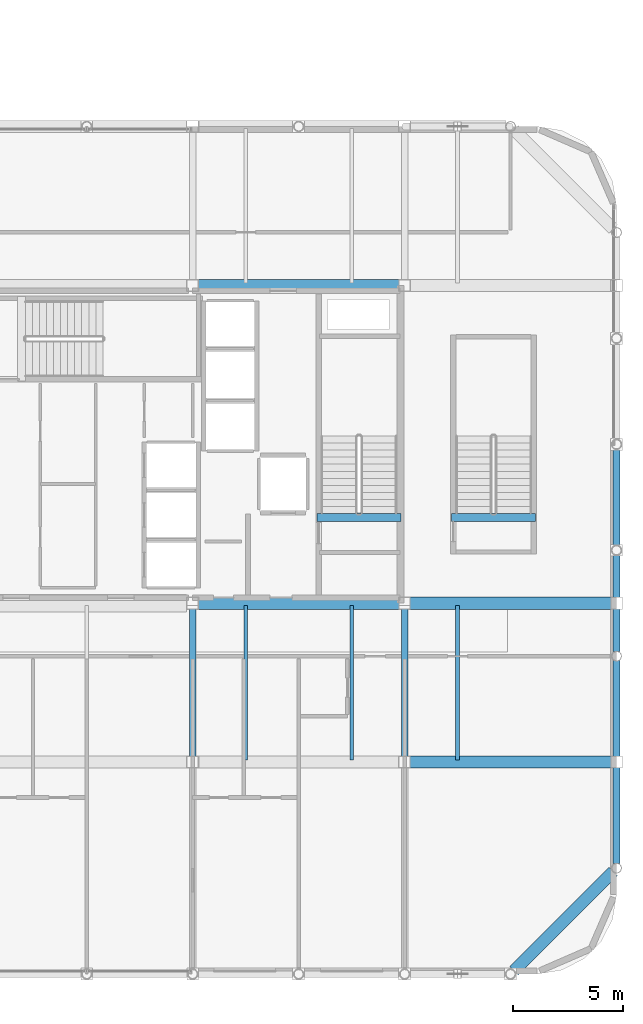
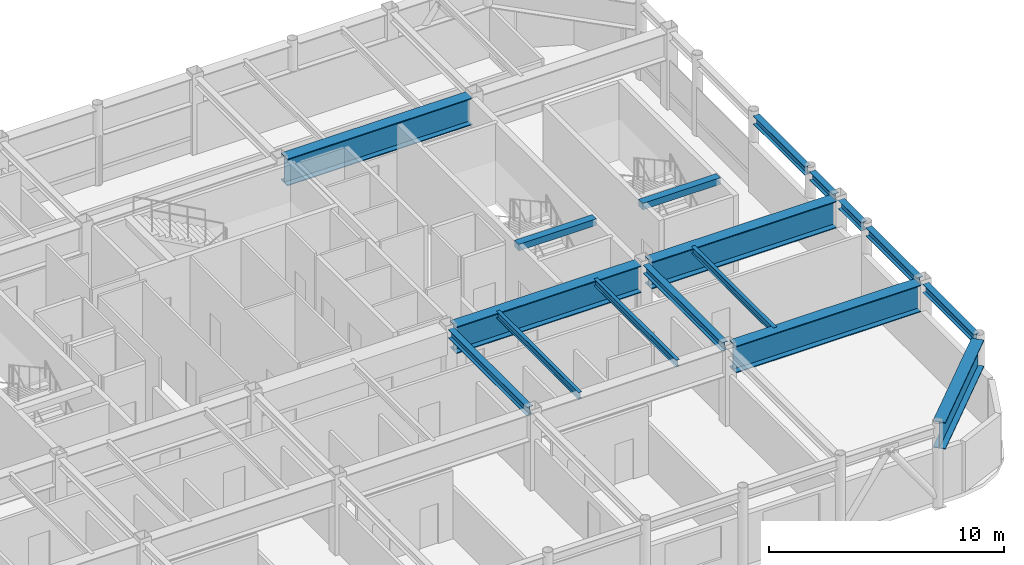
# One storey, part 10 of 23: 17 beams.
"""IFC4 building model written with IfcOpenShell, lengths in metres."""

from ifc_helpers import new_model, si_unit, direction, frame, origin, origin_2d, place, context, subcontext, project, spatial, rectangle, i_section, extrude, material, material_profile, profile_set, type_object, element, save


model = new_model("IFC4")

# Units and contexts
model_context = context("Model", 3, precision=1e-05, world=origin(), true_north=direction((0.0, 1.0)))
body_context = subcontext(model_context, "Body", "Model", "MODEL_VIEW")
ifc_project = project(units=[si_unit("LENGTHUNIT", "METRE"), si_unit("AREAUNIT", "SQUARE_METRE"), si_unit("VOLUMEUNIT", "CUBIC_METRE"), si_unit("PLANEANGLEUNIT", "RADIAN"), si_unit("MASSUNIT", "GRAM", prefix="KILO")], contexts=[model_context])

# Site, building, storey
site_placement = place(None, origin())
site = spatial("IfcSite", under=ifc_project, at=site_placement, CompositionType="ELEMENT")
building_placement = place(site_placement, origin())
building = spatial("IfcBuilding", under=site, at=building_placement, Name="Kallvorn Hotel Tower", CompositionType="ELEMENT")
storey_placement = place(building_placement, frame((0.0, 0.0, 282.199951171875)))
storey = spatial("IfcBuildingStorey", under=building, at=storey_placement, Name="L70", CompositionType="ELEMENT", Elevation=282.199951171875)

# Beams
ifc_material_1 = material(Name="Structural steel S355JR", Category="steel")
ifc_material_profile_1 = material_profile(ifc_material_1, i_section(OverallWidth=0.300048828125, OverallDepth=0.43994140625, WebThickness=0.011474609375, FlangeThickness=0.02099609375, at=origin_2d()), Name="HE 450 A")
ifc_profile_set_1 = profile_set([ifc_material_profile_1], Name="Structural steel S355JR")
beam_type_1 = type_object("IfcBeamType", Name="BM_HE450A", PredefinedType="BEAM", material=ifc_profile_set_1)
for number, where, z_axis, x_axis, name in (
    (1, (4.800048828125, -14.14990234375, 3.780029296875), (0.0, 1.0, 0.0), (-1.0, 0.0, 0.0), "L71 Primary Y-Girder 41"),
    (2, (14.39990234375, -14.14990234375, 3.780029296875), (0.0, 1.0, 0.0), (-1.0, 0.0, 0.0), "L71 Primary Y-Girder 44"),
):
    element("IfcBeam", number, at=place(storey_placement, frame(where, z_axis=z_axis, x_axis=x_axis)), inside=storey, type_object=beam_type_1, Name=name, PredefinedType="BEAM", context=body_context, shape_type="SweptSolid", body=[
        extrude(i_section(OverallWidth=0.300048828125, OverallDepth=0.43994140625, WebThickness=0.011474609375, FlangeThickness=0.02099609375, at=origin_2d()), origin(), (0.0, 0.0, 1.0), 6.699951171875),
    ])
beam_1_placement = place(storey_placement, frame((24.0, -18.99658203125, 3.780029296875), z_axis=(0.0, 1.0, 0.0), x_axis=(-1.0, 0.0, 0.0)))
element("IfcBeam", 3, at=beam_1_placement, inside=storey, type_object=beam_type_1, Name="L71 Primary Y-Girder 46", PredefinedType="BEAM", context=body_context, shape_type="SweptSolid", body=[
    extrude(i_section(OverallWidth=0.300048828125, OverallDepth=0.43994140625, WebThickness=0.011474609375, FlangeThickness=0.02099609375, at=origin_2d()), origin(), (0.0, 0.0, 1.0), 4.3466796875),
])
beam_2_placement = place(storey_placement, frame((24.0, -14.14990234375, 3.780029296875), z_axis=(0.0, 1.0, 0.0), x_axis=(-1.0, 0.0, 0.0)))
element("IfcBeam", 4, at=beam_2_placement, inside=storey, type_object=beam_type_1, Name="L71 Primary Y-Girder 47", PredefinedType="BEAM", context=body_context, shape_type="SweptSolid", body=[
    extrude(i_section(OverallWidth=0.300048828125, OverallDepth=0.43994140625, WebThickness=0.011474609375, FlangeThickness=0.02099609375, at=origin_2d()), origin(), (0.0, 0.0, 1.0), 4.346435546875),
])
for number, where, z_axis, x_axis, name in (
    (5, (24.0, -9.396484375, 3.780029296875), (0.0, 1.0, 0.0), (-1.0, 0.0, 0.0), "L71 Primary Y-Girder 48"),
    (6, (24.0, -6.949951171875, 3.780029296875), (0.0, 1.0, 0.0), (-1.0, 0.0, 0.0), "L71 Primary Y-Girder 49"),
):
    element("IfcBeam", number, at=place(storey_placement, frame(where, z_axis=z_axis, x_axis=x_axis)), inside=storey, type_object=beam_type_1, Name=name, PredefinedType="BEAM", context=body_context, shape_type="SweptSolid", body=[
        extrude(i_section(OverallWidth=0.300048828125, OverallDepth=0.43994140625, WebThickness=0.011474609375, FlangeThickness=0.02099609375, at=origin_2d()), origin(), (0.0, 0.0, 1.0), 1.946533203125),
    ])
beam_3_placement = place(storey_placement, frame((24.0, -4.596435546875, 3.780029296875), z_axis=(0.0, 1.0, 0.0), x_axis=(-1.0, 0.0, 0.0)))
element("IfcBeam", 7, at=beam_3_placement, inside=storey, type_object=beam_type_1, Name="L71 Primary Y-Girder 50", PredefinedType="BEAM", context=body_context, shape_type="SweptSolid", body=[
    extrude(i_section(OverallWidth=0.300048828125, OverallDepth=0.43994140625, WebThickness=0.011474609375, FlangeThickness=0.02099609375, at=origin_2d()), origin(), (0.0, 0.0, 1.0), 4.392822265625),
])
ifc_material_2 = material(Name="Structural steel S355JR", Category="steel")
ifc_material_profile_2 = material_profile(ifc_material_2, i_section(OverallWidth=0.169921875, OverallDepth=0.360107421875, WebThickness=0.008056640625, FlangeThickness=0.0126953125, at=origin_2d()), Name="IPE 360")
ifc_profile_set_2 = profile_set([ifc_material_profile_2], Name="Structural steel S355JR")
beam_type_2 = type_object("IfcBeamType", Name="BM_IPE360", PredefinedType="JOIST", material=ifc_profile_set_2)
for number, where, z_axis, x_axis, name in (
    (8, (7.199951171875, -14.300048828125, 3.820068359375), (0.0, 1.0, 0.0), (-1.0, 0.0, 0.0), "L71 Secondary Composite Joist 99"),
    (9, (12.0, -14.300048828125, 3.820068359375), (0.0, 1.0, 0.0), (-1.0, 0.0, 0.0), "L71 Secondary Composite Joist 101"),
    (10, (16.800048828125, -14.300048828125, 3.820068359375), (0.0, 1.0, 0.0), (-1.0, 0.0, 0.0), "L71 Secondary Composite Joist 103"),
):
    element("IfcBeam", number, at=place(storey_placement, frame(where, z_axis=z_axis, x_axis=x_axis)), inside=storey, type_object=beam_type_2, Name=name, PredefinedType="JOIST", context=body_context, shape_type="SweptSolid", body=[
        extrude(i_section(OverallWidth=0.169921875, OverallDepth=0.360107421875, WebThickness=0.008056640625, FlangeThickness=0.0126953125, at=origin_2d()), origin(), (0.0, 0.0, 1.0), 7.0),
    ])
ifc_material_3 = material(Name="Structural steel S355JR", Category="steel")
ifc_material_profile_3 = material_profile(ifc_material_3, i_section(OverallWidth=0.550048828125, OverallDepth=1.39990234375, WebThickness=0.02490234375, FlangeThickness=0.044921875, at=origin_2d()), Name="PG 1400x550x25x45")
ifc_profile_set_3 = profile_set([ifc_material_profile_3], Name="Structural steel S355JR")
beam_type_3 = type_object("IfcBeamType", Name="BM_PG_1400", PredefinedType="BEAM", material=ifc_profile_set_3)
beam_4_placement = place(storey_placement, frame((14.64990234375, -14.39990234375, 3.300048828125), z_axis=(1.0, 0.0, 0.0), x_axis=(0.0, 1.0, 0.0)))
element("IfcBeam", 11, at=beam_4_placement, inside=storey, type_object=beam_type_3, Name="L71 Primary X-Girder 06", PredefinedType="BEAM", context=body_context, shape_type="SweptSolid", body=[
    extrude(i_section(OverallWidth=0.550048828125, OverallDepth=1.39990234375, WebThickness=0.02490234375, FlangeThickness=0.044921875, at=origin_2d()), origin(), (0.0, 0.0, 1.0), 9.10009765625),
])
beam_5_placement = place(storey_placement, frame((5.050048828125, -7.199951171875, 3.300048828125), z_axis=(1.0, 0.0, 0.0), x_axis=(0.0, 1.0, 0.0)))
element("IfcBeam", 12, at=beam_5_placement, inside=storey, type_object=beam_type_3, Name="L71 Primary X-Girder 09", PredefinedType="BEAM", context=body_context, shape_type="SweptSolid", body=[
    extrude(i_section(OverallWidth=0.550048828125, OverallDepth=1.39990234375, WebThickness=0.02490234375, FlangeThickness=0.044921875, at=origin_2d()), origin(), (0.0, 0.0, 1.0), 9.099853515625),
])
beam_6_placement = place(storey_placement, frame((14.64990234375, -7.199951171875, 3.300048828125), z_axis=(1.0, 0.0, 0.0), x_axis=(0.0, 1.0, 0.0)))
element("IfcBeam", 13, at=beam_6_placement, inside=storey, type_object=beam_type_3, Name="L71 Primary X-Girder 10", PredefinedType="BEAM", context=body_context, shape_type="SweptSolid", body=[
    extrude(i_section(OverallWidth=0.550048828125, OverallDepth=1.39990234375, WebThickness=0.02490234375, FlangeThickness=0.044921875, at=origin_2d()), origin(), (0.0, 0.0, 1.0), 9.10009765625),
])
beam_7_placement = place(storey_placement, frame((5.050048828125, 7.199951171875, 3.300048828125), z_axis=(1.0, 0.0, 0.0), x_axis=(0.0, 1.0, 0.0)))
element("IfcBeam", 14, at=beam_7_placement, inside=storey, type_object=beam_type_3, Name="L71 Primary X-Girder 14", PredefinedType="BEAM", context=body_context, shape_type="SweptSolid", body=[
    extrude(i_section(OverallWidth=0.550048828125, OverallDepth=1.39990234375, WebThickness=0.02490234375, FlangeThickness=0.044921875, at=origin_2d()), origin(), (0.0, 0.0, 1.0), 9.099853515625),
])
beam_8_placement = place(storey_placement, frame((23.845458984375, -19.3544921875, 3.300048828125), z_axis=(-0.707106781187, -0.707106781187, 0.0), x_axis=(0.707106781187, -0.707106781187, 0.0)))
element("IfcBeam", 15, at=beam_8_placement, inside=storey, type_object=beam_type_3, Name="L71 Rounded Corner Tie Beam 88", PredefinedType="BEAM", context=body_context, shape_type="SweptSolid", body=[
    extrude(i_section(OverallWidth=0.550048828125, OverallDepth=1.39990234375, WebThickness=0.02490234375, FlangeThickness=0.044921875, at=origin_2d()), origin(), (0.0, 0.0, 1.0), 6.35107421875),
])
ifc_material_4 = material(Name="Concrete C50/60", Category="concrete")
ifc_material_profile_4 = material_profile(ifc_material_4, rectangle(XDim=0.360107421875, YDim=0.340087890625, at=origin_2d()), Name="RC 360x340")
ifc_profile_set_4 = profile_set([ifc_material_profile_4], Name="Concrete C50/60")
beam_type_4 = type_object("IfcBeamType", Name="BM_RC_400x360", PredefinedType="BEAM", material=ifc_profile_set_4)
for number, where, z_axis, x_axis, name in (
    (16, (14.239990234375, -3.31005859375, 3.830078125), (-1.0, 0.0, 0.0), (0.0, -1.0, 0.0), "L71 Stair ST2 Arrival Trimmer Beam"),
    (17, (20.340087890625, -3.31005859375, 3.830078125), (-1.0, 0.0, 0.0), (0.0, -1.0, 0.0), "L71 Stair ST4 Arrival Trimmer Beam"),
):
    element("IfcBeam", number, at=place(storey_placement, frame(where, z_axis=z_axis, x_axis=x_axis)), inside=storey, type_object=beam_type_4, Name=name, PredefinedType="BEAM", context=body_context, shape_type="SweptSolid", body=[
        extrude(rectangle(XDim=0.360107421875, YDim=0.340087890625, at=origin_2d()), origin(), (0.0, 0.0, 1.0), 3.820068359375),
    ])

save(model, "model.ifc")
